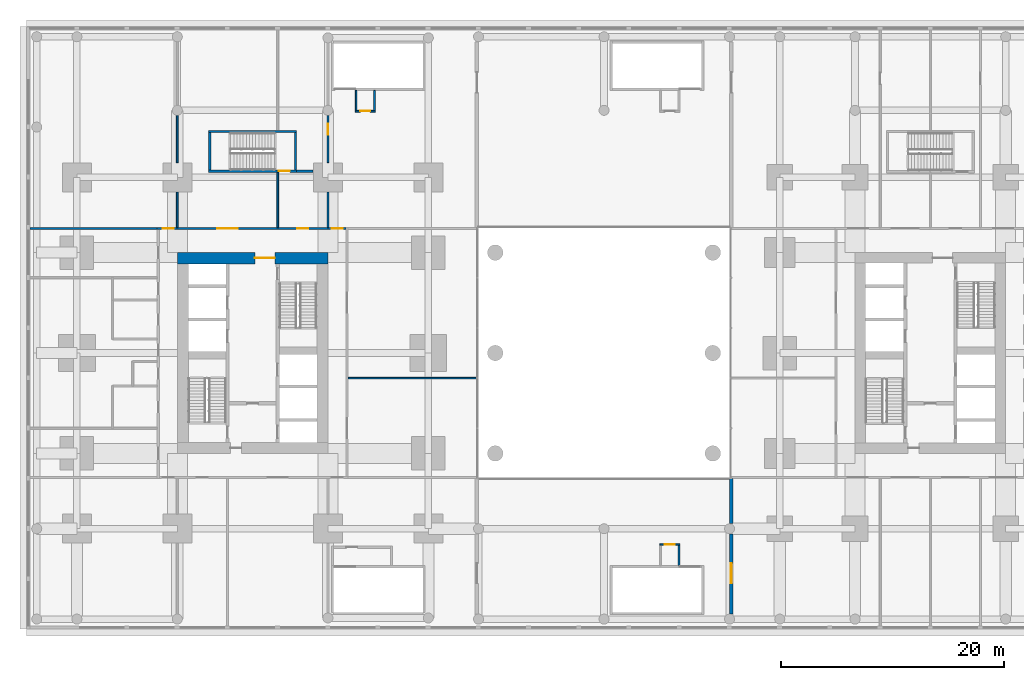
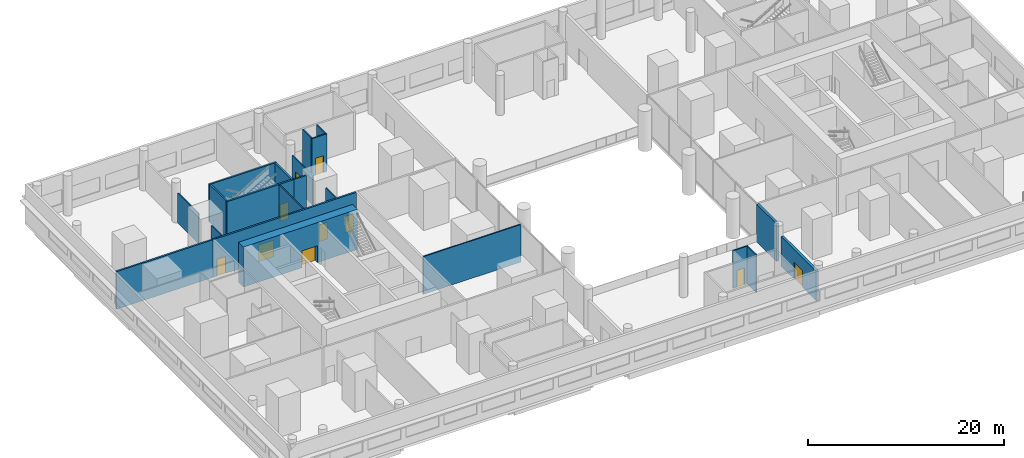
# One storey, part 12 of 20: 21 walls, 10 doors, 10 openings.
"""IFC4 building model written with IfcOpenShell, lengths in metres."""

from ifc_helpers import new_model, si_unit, direction, frame, frame_2d, origin, place, context, subcontext, project, spatial, rectangle, extrude, material, layer, layer_set, type_object, element, fill, save


model = new_model("IFC4")

# Units and contexts
model_context = context("Model", 3, precision=1e-05, world=origin(), true_north=direction((0.0, 1.0)))
body_context = subcontext(model_context, "Body", "Model", "MODEL_VIEW")
ifc_project = project(units=[si_unit("LENGTHUNIT", "METRE"), si_unit("AREAUNIT", "SQUARE_METRE"), si_unit("VOLUMEUNIT", "CUBIC_METRE"), si_unit("PLANEANGLEUNIT", "RADIAN"), si_unit("MASSUNIT", "GRAM", prefix="KILO")], contexts=[model_context])

# Site, building, storey
site_placement = place(None, origin())
site = spatial("IfcSite", under=ifc_project, at=site_placement, CompositionType="ELEMENT")
building_placement = place(site_placement, origin())
building = spatial("IfcBuilding", under=site, at=building_placement, Name="Namib Vertical Campus", CompositionType="ELEMENT")
storey_placement = place(building_placement, frame((0.0, 0.0, 16.0)))
storey = spatial("IfcBuildingStorey", under=building, at=storey_placement, Name="L03", CompositionType="ELEMENT", Elevation=16.0)

# Wall, opening, door
ifc_material_1 = material(Name="Concrete C60/75", Category="concrete")
ifc_layer_1 = layer(ifc_material_1, 1.0)
ifc_layer_set_1 = layer_set([ifc_layer_1], Name="Concrete C60/75")
wall_type_1 = type_object("IfcWallType", Name="Core wall 1000", PredefinedType="SHEAR", material=ifc_layer_set_1)
wall_1_placement = place(storey_placement, frame((27.0, 28.75, 0.0), z_axis=(0.0, 0.0, 1.0), x_axis=(-1.0, 0.0, 0.0)))
wall_1 = element("IfcWall", 1, at=wall_1_placement, inside=storey, type_object=wall_type_1, Name="Core wall A L03 3", PredefinedType="SHEAR", context=body_context, shape_type="SweptSolid", body=[
    extrude(rectangle(XDim=13.5, YDim=1.0, at=frame_2d((6.75, 0.0))), origin(), (0.0, 0.0, 1.0), 5.0),
])
opening_1_placement = place(wall_1_placement, frame((4.75, 0.0, 0.0)))
opening_1 = element("IfcOpeningElement", 2, at=opening_1_placement, cuts=wall_1, Name="Opening FD2", PredefinedType="OPENING", context=body_context, shape_type="SweptSolid", body=[
    extrude(rectangle(XDim=1.800048828125, YDim=2.10009765625, at=frame_2d((0.89990234375, 1.050048828125))), frame((0.0, 0.510009765625, 0.0), z_axis=(0.0, -1.0, 0.0), x_axis=(1.0, 0.0, 0.0)), (0.0, 0.0, 1.0), 1.02001953125),
])
ifc_material_2 = material(Name="Steel fire door", Category="steel")
door_type_1 = type_object("IfcDoorType", Name="Fire door double 1800x2100", OperationType="DOUBLE_DOOR_SINGLE_SWING", PredefinedType="DOOR", material=ifc_material_2)
door_1_placement = place(opening_1_placement, origin())
door_1 = element("IfcDoor", 3, at=door_1_placement, inside=storey, type_object=door_type_1, Name="Lift lobby door FD2 A L03", OperationType="DOUBLE_DOOR_SINGLE_SWING", OverallHeight=2.10009765625, OverallWidth=1.800048828125, PredefinedType="DOOR", context=body_context, shape_type="SweptSolid", body=[
    extrude(rectangle(XDim=1.800048828125, YDim=2.10009765625, at=frame_2d((0.89990234375, 1.050048828125))), frame((0.0, 0.02490234375, 0.0), z_axis=(0.0, -1.0, 0.0), x_axis=(1.0, 0.0, 0.0)), (0.0, 0.0, 1.0), 0.050048828125),
])
fill(opening_1, door_1)

# Wall, openings, doors
ifc_material_3 = material(Name="Concrete masonry", Category="masonry")
ifc_layer_2 = layer(ifc_material_3, 0.199951171875)
ifc_layer_set_2 = layer_set([ifc_layer_2], Name="Corridor wall 200")
wall_type_2 = type_object("IfcWallType", Name="Corridor wall 200", PredefinedType="SOLIDWALL", material=ifc_layer_set_2)
wall_2_placement = place(storey_placement, frame((28.60009765625, 31.39990234375, 0.0), z_axis=(0.0, 0.0, 1.0), x_axis=(-1.0, 0.0, 0.0)))
wall_2 = element("IfcWall", 4, at=wall_2_placement, inside=storey, type_object=wall_type_2, Name="Corridor wall A L03 CN", PredefinedType="SOLIDWALL", context=body_context, shape_type="SweptSolid", body=[
    extrude(rectangle(XDim=16.900146484375, YDim=0.199951171875, at=frame_2d((8.4501953125, 0.0))), origin(), (0.0, 0.0, 1.0), 4.699951171875),
])
opening_2_placement = place(wall_2_placement, frame((15.425048828125, 0.0, 0.0)))
opening_2 = element("IfcOpeningElement", 5, at=opening_2_placement, cuts=wall_2, Name="Opening CD1", PredefinedType="OPENING", context=body_context, shape_type="SweptSolid", body=[
    extrude(rectangle(XDim=1.0, YDim=2.10009765625, at=frame_2d((0.5, 1.050048828125))), frame((0.0, 0.10986328125, 0.0), z_axis=(0.0, -1.0, 0.0), x_axis=(1.0, 0.0, 0.0)), (0.0, 0.0, 1.0), 0.219970703125),
])
opening_3_placement = place(wall_2_placement, frame((9.699951171875, 0.0, 0.0)))
opening_3 = element("IfcOpeningElement", 6, at=opening_3_placement, cuts=wall_2, Name="Opening CD2", PredefinedType="OPENING", context=body_context, shape_type="SweptSolid", body=[
    extrude(rectangle(XDim=1.800048828125, YDim=2.10009765625, at=frame_2d((0.89990234375, 1.050048828125))), frame((0.0, 0.10986328125, 0.0), z_axis=(0.0, -1.0, 0.0), x_axis=(1.0, 0.0, 0.0)), (0.0, 0.0, 1.0), 0.219970703125),
])
opening_4_placement = place(wall_2_placement, frame((0.27490234375, 0.0, 0.0)))
opening_4 = element("IfcOpeningElement", 7, at=opening_4_placement, cuts=wall_2, Name="Opening CD1", PredefinedType="OPENING", context=body_context, shape_type="SweptSolid", body=[
    extrude(rectangle(XDim=1.0, YDim=2.10009765625, at=frame_2d((0.5, 1.050048828125))), frame((0.0, 0.10986328125, 0.0), z_axis=(0.0, -1.0, 0.0), x_axis=(1.0, 0.0, 0.0)), (0.0, 0.0, 1.0), 0.219970703125),
])
opening_5_placement = place(wall_2_placement, frame((3.35009765625, 0.0, 0.0)))
opening_5 = element("IfcOpeningElement", 8, at=opening_5_placement, cuts=wall_2, Name="Opening CD1", PredefinedType="OPENING", context=body_context, shape_type="SweptSolid", body=[
    extrude(rectangle(XDim=1.0, YDim=2.10009765625, at=frame_2d((0.5, 1.050048828125))), frame((0.0, 0.10986328125, 0.0), z_axis=(0.0, -1.0, 0.0), x_axis=(1.0, 0.0, 0.0)), (0.0, 0.0, 1.0), 0.219970703125),
])
ifc_material_4 = material(Name="Timber fire door leaf", Category="wood")
door_type_2 = type_object("IfcDoorType", Name="Corridor door 1000x2100 20 min", OperationType="SINGLE_SWING_LEFT", PredefinedType="DOOR", material=ifc_material_4)
door_2_placement = place(opening_2_placement, frame((1.0, 0.0, 0.0), z_axis=(0.0, 0.0, 1.0), x_axis=(-1.0, 0.0, 0.0)))
door_2 = element("IfcDoor", 9, at=door_2_placement, inside=storey, type_object=door_type_2, Name="Door CD1 A03-07", OperationType="SINGLE_SWING_RIGHT", OverallHeight=2.10009765625, OverallWidth=1.0, PredefinedType="DOOR", context=body_context, shape_type="SweptSolid", body=[
    extrude(rectangle(XDim=1.0, YDim=2.10009765625, at=frame_2d((0.5, 1.050048828125))), frame((0.0, 0.02490234375, 0.0), z_axis=(0.0, -1.0, 0.0), x_axis=(1.0, 0.0, 0.0)), (0.0, 0.0, 1.0), 0.050048828125),
])
fill(opening_2, door_2)
door_3_placement = place(opening_4_placement, origin())
door_3 = element("IfcDoor", 10, at=door_3_placement, inside=storey, type_object=door_type_2, Name="Door CD1 A03-09", OperationType="SINGLE_SWING_RIGHT", OverallHeight=2.10009765625, OverallWidth=1.0, PredefinedType="DOOR", context=body_context, shape_type="SweptSolid", body=[
    extrude(rectangle(XDim=1.0, YDim=2.10009765625, at=frame_2d((0.5, 1.050048828125))), frame((0.0, 0.02490234375, 0.0), z_axis=(0.0, -1.0, 0.0), x_axis=(1.0, 0.0, 0.0)), (0.0, 0.0, 1.0), 0.050048828125),
])
fill(opening_4, door_3)
door_4_placement = place(opening_5_placement, frame((1.0, 0.0, 0.0), z_axis=(0.0, 0.0, 1.0), x_axis=(-1.0, 0.0, 0.0)))
door_4 = element("IfcDoor", 11, at=door_4_placement, inside=storey, type_object=door_type_2, Name="Door CD1 A03-18", OperationType="SINGLE_SWING_LEFT", OverallHeight=2.10009765625, OverallWidth=1.0, PredefinedType="DOOR", context=body_context, shape_type="SweptSolid", body=[
    extrude(rectangle(XDim=1.0, YDim=2.10009765625, at=frame_2d((0.5, 1.050048828125))), frame((0.0, 0.02490234375, 0.0), z_axis=(0.0, -1.0, 0.0), x_axis=(1.0, 0.0, 0.0)), (0.0, 0.0, 1.0), 0.050048828125),
])
fill(opening_5, door_4)
ifc_material_5 = material(Name="Timber fire door leaf", Category="wood")
door_type_3 = type_object("IfcDoorType", Name="Corridor door double 1800x2100 20 min", OperationType="DOUBLE_DOOR_SINGLE_SWING", PredefinedType="DOOR", material=ifc_material_5)
door_5_placement = place(opening_3_placement, frame((1.800048828125, 0.0, 0.0), z_axis=(0.0, 0.0, 1.0), x_axis=(-1.0, 0.0, 0.0)))
door_5 = element("IfcDoor", 12, at=door_5_placement, inside=storey, type_object=door_type_3, Name="Door CD2 A03-08", OperationType="DOUBLE_DOOR_SINGLE_SWING", OverallHeight=2.10009765625, OverallWidth=1.800048828125, PredefinedType="DOOR", context=body_context, shape_type="SweptSolid", body=[
    extrude(rectangle(XDim=1.800048828125, YDim=2.10009765625, at=frame_2d((0.89990234375, 1.050048828125))), frame((0.0, 0.02490234375, 0.0), z_axis=(0.0, -1.0, 0.0), x_axis=(1.0, 0.0, 0.0)), (0.0, 0.0, 1.0), 0.050048828125),
])
fill(opening_3, door_5)

# Walls
wall_3_placement = place(storey_placement, frame((0.300048828125, 31.39990234375, 0.0), z_axis=(0.0, 0.0, 1.0), x_axis=(1.0, 0.0, 0.0)))
element("IfcWall", 13, at=wall_3_placement, inside=storey, type_object=wall_type_2, Name="Partition A L03 BNW", PredefinedType="SOLIDWALL", context=body_context, shape_type="SweptSolid", body=[
    extrude(rectangle(XDim=11.39990234375, YDim=0.199951171875, at=frame_2d((5.699951171875, 0.0))), origin(), (0.0, 0.0, 1.0), 4.699951171875),
])
wall_4_placement = place(storey_placement, frame((24.199951171875, 36.550048828125, 0.0), z_axis=(0.0, 0.0, 1.0), x_axis=(1.0, 0.0, 0.0)))
element("IfcWall", 14, at=wall_4_placement, inside=storey, type_object=wall_type_2, Name="Lobby wall A-S3 L03", PredefinedType="SOLIDWALL", context=body_context, shape_type="SweptSolid", body=[
    extrude(rectangle(XDim=1.47998046875, YDim=0.199951171875, at=frame_2d((0.739990234375, 0.0))), origin(), (0.0, 0.0, 1.0), 4.699951171875),
])

# Wall, opening, door
ifc_material_6 = material(Name="Concrete masonry", Category="masonry")
ifc_layer_3 = layer(ifc_material_6, 0.300048828125)
ifc_layer_set_3 = layer_set([ifc_layer_3], Name="Fire wall 300")
wall_type_3 = type_object("IfcWallType", Name="Fire wall 300", PredefinedType="SOLIDWALL", material=ifc_layer_set_3)
wall_5_placement = place(storey_placement, frame((63.14990234375, -3.1298828125, 0.0), z_axis=(0.0, 0.0, 1.0), x_axis=(0.0, 1.0, 0.0)))
wall_5 = element("IfcWall", 15, at=wall_5_placement, inside=storey, type_object=wall_type_3, Name="Fire wall B L03", PredefinedType="SOLIDWALL", context=body_context, shape_type="SweptSolid", body=[
    extrude(rectangle(XDim=7.159912109375, YDim=0.300048828125, at=frame_2d((3.580078125, 0.0))), origin(), (0.0, 0.0, 1.0), 3.699951171875),
])
opening_6_placement = place(wall_5_placement, frame((2.72998046875, 0.0, 0.0)))
opening_6 = element("IfcOpeningElement", 16, at=opening_6_placement, cuts=wall_5, Name="Opening FD2", PredefinedType="OPENING", context=body_context, shape_type="SweptSolid", body=[
    extrude(rectangle(XDim=1.800048828125, YDim=2.10009765625, at=frame_2d((0.89990234375, 1.050048828125))), frame((0.0, 0.159912109375, 0.0), z_axis=(0.0, -1.0, 0.0), x_axis=(1.0, 0.0, 0.0)), (0.0, 0.0, 1.0), 0.320068359375),
])
door_6_placement = place(opening_6_placement, frame((1.800048828125, 0.0, 0.0), z_axis=(0.0, 0.0, 1.0), x_axis=(-1.0, 0.0, 0.0)))
door_6 = element("IfcDoor", 17, at=door_6_placement, inside=storey, type_object=door_type_1, Name="Door FD2 middle B L03 1", OperationType="DOUBLE_DOOR_SINGLE_SWING", OverallHeight=2.10009765625, OverallWidth=1.800048828125, PredefinedType="DOOR", context=body_context, shape_type="SweptSolid", body=[
    extrude(rectangle(XDim=1.800048828125, YDim=2.10009765625, at=frame_2d((0.89990234375, 1.050048828125))), frame((0.0, 0.02490234375, 0.0), z_axis=(0.0, -1.0, 0.0), x_axis=(1.0, 0.0, 0.0)), (0.0, 0.0, 1.0), 0.050048828125),
])
fill(opening_6, door_6)

# Walls
wall_6_placement = place(storey_placement, frame((63.14990234375, 4.969970703125, 0.0), z_axis=(0.0, 0.0, 1.0), x_axis=(0.0, 1.0, 0.0)))
element("IfcWall", 18, at=wall_6_placement, inside=storey, type_object=wall_type_3, Name="Fire wall B L03", PredefinedType="SOLIDWALL", context=body_context, shape_type="SweptSolid", body=[
    extrude(rectangle(XDim=4.030029296875, YDim=0.300048828125, at=frame_2d((2.01513671875, 0.0))), origin(), (0.0, 0.0, 1.0), 4.699951171875),
])
ifc_material_7 = material(Name="Gypsum board on steel studs", Category="steel")
ifc_layer_4 = layer(ifc_material_7, 0.14990234375)
ifc_layer_set_4 = layer_set([ifc_layer_4], Name="Gypsum board on steel studs")
wall_type_4 = type_object("IfcWallType", Name="Partition 150", PredefinedType="PARTITIONING", material=ifc_layer_set_4)
wall_7_placement = place(storey_placement, frame((13.5, 31.5, 0.0), z_axis=(0.0, 0.0, 1.0), x_axis=(0.0, 1.0, 0.0)))
element("IfcWall", 19, at=wall_7_placement, inside=storey, type_object=wall_type_4, Name="Partition A L03 PN1", PredefinedType="PARTITIONING", context=body_context, shape_type="SweptSolid", body=[
    extrude(rectangle(XDim=3.179931640625, YDim=0.14990234375, at=frame_2d((1.58984375, 0.0))), origin(), (0.0, 0.0, 1.0), 3.800048828125),
])
wall_8_placement = place(storey_placement, frame((13.5, 37.320068359375, 0.0), z_axis=(0.0, 0.0, 1.0), x_axis=(0.0, 1.0, 0.0)))
element("IfcWall", 20, at=wall_8_placement, inside=storey, type_object=wall_type_4, Name="Partition A L03 PN1", PredefinedType="PARTITIONING", context=body_context, shape_type="SweptSolid", body=[
    extrude(rectangle(XDim=4.2099609375, YDim=0.14990234375, at=frame_2d((2.10498046875, 0.0))), origin(), (0.0, 0.0, 1.0), 3.699951171875),
])
wall_9_placement = place(storey_placement, frame((22.5, 31.5, 0.0), z_axis=(0.0, 0.0, 1.0), x_axis=(0.0, 1.0, 0.0)))
element("IfcWall", 21, at=wall_9_placement, inside=storey, type_object=wall_type_4, Name="Partition A L03 PN3", PredefinedType="PARTITIONING", context=body_context, shape_type="SweptSolid", body=[
    extrude(rectangle(XDim=4.949951171875, YDim=0.14990234375, at=frame_2d((2.47509765625, 0.0))), origin(), (0.0, 0.0, 1.0), 4.699951171875),
])
wall_10_placement = place(storey_placement, frame((27.0, 31.5, 0.0), z_axis=(0.0, 0.0, 1.0), x_axis=(0.0, 1.0, 0.0)))
element("IfcWall", 22, at=wall_10_placement, inside=storey, type_object=wall_type_4, Name="Partition A L03 PN2", PredefinedType="PARTITIONING", context=body_context, shape_type="SweptSolid", body=[
    extrude(rectangle(XDim=3.179931640625, YDim=0.14990234375, at=frame_2d((1.58984375, 0.0))), origin(), (0.0, 0.0, 1.0), 3.800048828125),
])

# Wall, opening, door
wall_11_placement = place(storey_placement, frame((27.0, 37.320068359375, 0.0), z_axis=(0.0, 0.0, 1.0), x_axis=(0.0, 1.0, 0.0)))
wall_11 = element("IfcWall", 23, at=wall_11_placement, inside=storey, type_object=wall_type_4, Name="Partition A L03 PN2", PredefinedType="PARTITIONING", context=body_context, shape_type="SweptSolid", body=[
    extrude(rectangle(XDim=4.2099609375, YDim=0.14990234375, at=frame_2d((2.10498046875, 0.0))), origin(), (0.0, 0.0, 1.0), 3.699951171875),
])
opening_7_placement = place(wall_11_placement, frame((2.5, 0.0, 0.0)))
opening_7 = element("IfcOpeningElement", 24, at=opening_7_placement, cuts=wall_11, Name="Opening D1", PredefinedType="OPENING", context=body_context, shape_type="SweptSolid", body=[
    extrude(rectangle(XDim=1.0, YDim=2.10009765625, at=frame_2d((0.5, 1.050048828125))), frame((0.0, 0.0849609375, 0.0), z_axis=(0.0, -1.0, 0.0), x_axis=(1.0, 0.0, 0.0)), (0.0, 0.0, 1.0), 0.169921875),
])
ifc_material_8 = material(Name="Timber door leaf", Category="wood")
door_type_4 = type_object("IfcDoorType", Name="Door single 1000x2100", OperationType="SINGLE_SWING_LEFT", PredefinedType="DOOR", material=ifc_material_8)
door_7_placement = place(opening_7_placement, origin())
door_7 = element("IfcDoor", 25, at=door_7_placement, inside=storey, type_object=door_type_4, Name="Door D1 A03-19", OperationType="SINGLE_SWING_RIGHT", OverallHeight=2.10009765625, OverallWidth=1.0, PredefinedType="DOOR", context=body_context, shape_type="SweptSolid", body=[
    extrude(rectangle(XDim=1.0, YDim=2.10009765625, at=frame_2d((0.5, 1.050048828125))), frame((0.0, 0.02490234375, 0.0), z_axis=(0.0, -1.0, 0.0), x_axis=(1.0, 0.0, 0.0)), (0.0, 0.0, 1.0), 0.050048828125),
])
fill(opening_7, door_7)

# Walls
wall_12_placement = place(storey_placement, frame((28.800048828125, 18.0, 0.0), z_axis=(0.0, 0.0, 1.0), x_axis=(1.0, 0.0, 0.0)))
element("IfcWall", 26, at=wall_12_placement, inside=storey, type_object=wall_type_4, Name="Partition A L03 PE1", PredefinedType="PARTITIONING", context=body_context, shape_type="SweptSolid", body=[
    extrude(rectangle(XDim=11.52001953125, YDim=0.14990234375, at=frame_2d((5.760009765625, 0.0))), origin(), (0.0, 0.0, 1.0), 4.699951171875),
])
wall_13_placement = place(storey_placement, frame((31.175048828125, 42.0, 0.0), z_axis=(0.0, 0.0, 1.0), x_axis=(0.0, 1.0, 0.0)))
element("IfcWall", 27, at=wall_13_placement, inside=storey, type_object=wall_type_4, Name="Refuge cell partition P-S1 L03", PredefinedType="PARTITIONING", context=body_context, shape_type="SweptSolid", body=[
    extrude(rectangle(XDim=1.800048828125, YDim=0.14990234375, at=frame_2d((0.89990234375, 0.0))), origin(), (0.0, 0.0, 1.0), 4.699951171875),
])

# Wall, opening, door
wall_14_placement = place(storey_placement, frame((29.449951171875, 41.925048828125, 0.0), z_axis=(0.0, 0.0, 1.0), x_axis=(1.0, 0.0, 0.0)))
wall_14 = element("IfcWall", 28, at=wall_14_placement, inside=storey, type_object=wall_type_4, Name="Refuge cell partition P-S1 L03", PredefinedType="PARTITIONING", context=body_context, shape_type="SweptSolid", body=[
    extrude(rectangle(XDim=1.800048828125, YDim=0.14990234375, at=frame_2d((0.89990234375, 0.0))), origin(), (0.0, 0.0, 1.0), 4.699951171875),
])
opening_8_placement = place(wall_14_placement, frame((0.449951171875, 0.0, 0.0)))
opening_8 = element("IfcOpeningElement", 29, at=opening_8_placement, cuts=wall_14, Name="Opening RD2", PredefinedType="OPENING", context=body_context, shape_type="SweptSolid", body=[
    extrude(rectangle(XDim=0.89990234375, YDim=2.10009765625, at=frame_2d((0.449951171875, 1.050048828125))), frame((0.0, 0.0849609375, 0.0), z_axis=(0.0, -1.0, 0.0), x_axis=(1.0, 0.0, 0.0)), (0.0, 0.0, 1.0), 0.169921875),
])
ifc_material_9 = material(Name="Timber fire door leaf", Category="wood")
door_type_5 = type_object("IfcDoorType", Name="Refuge cell door 900x2100 30 min", OperationType="SINGLE_SWING_LEFT", PredefinedType="DOOR", material=ifc_material_9)
door_8_placement = place(opening_8_placement, origin())
door_8 = element("IfcDoor", 30, at=door_8_placement, inside=storey, type_object=door_type_5, Name="Door RD2 Refuge area P-S1 L03", OperationType="SINGLE_SWING_LEFT", OverallHeight=2.10009765625, OverallWidth=0.89990234375, PredefinedType="DOOR", context=body_context, shape_type="SweptSolid", body=[
    extrude(rectangle(XDim=0.89990234375, YDim=2.10009765625, at=frame_2d((0.449951171875, 1.050048828125))), frame((0.0, 0.02490234375, 0.0), z_axis=(0.0, -1.0, 0.0), x_axis=(1.0, 0.0, 0.0)), (0.0, 0.0, 1.0), 0.050048828125),
])
fill(opening_8, door_8)

# Walls
for number, where, z_axis, x_axis, name in (
    (31, (29.52490234375, 42.0, 0.0), (0.0, 0.0, 1.0), (0.0, 1.0, 0.0), "Refuge cell partition P-S1 L03"),
    (32, (58.47509765625, 1.199951171875, 0.0), (0.0, 0.0, 1.0), (0.0, 1.0, 0.0), "Refuge cell partition P-S4 L03"),
):
    element("IfcWall", number, at=place(storey_placement, frame(where, z_axis=z_axis, x_axis=x_axis)), inside=storey, type_object=wall_type_4, Name=name, PredefinedType="PARTITIONING", context=body_context, shape_type="SweptSolid", body=[
        extrude(rectangle(XDim=1.800048828125, YDim=0.14990234375, at=frame_2d((0.89990234375, 0.0))), origin(), (0.0, 0.0, 1.0), 4.699951171875),
    ])

# Wall, opening, door
wall_15_placement = place(storey_placement, frame((56.75, 3.074951171875, 0.0), z_axis=(0.0, 0.0, 1.0), x_axis=(1.0, 0.0, 0.0)))
wall_15 = element("IfcWall", 33, at=wall_15_placement, inside=storey, type_object=wall_type_4, Name="Refuge cell partition P-S4 L03", PredefinedType="PARTITIONING", context=body_context, shape_type="SweptSolid", body=[
    extrude(rectangle(XDim=1.800048828125, YDim=0.14990234375, at=frame_2d((0.89990234375, 0.0))), origin(), (0.0, 0.0, 1.0), 4.699951171875),
])
opening_9_placement = place(wall_15_placement, frame((0.449951171875, 0.0, 0.0)))
opening_9 = element("IfcOpeningElement", 34, at=opening_9_placement, cuts=wall_15, Name="Opening RD2", PredefinedType="OPENING", context=body_context, shape_type="SweptSolid", body=[
    extrude(rectangle(XDim=0.89990234375, YDim=2.10009765625, at=frame_2d((0.449951171875, 1.050048828125))), frame((0.0, 0.0849609375, 0.0), z_axis=(0.0, -1.0, 0.0), x_axis=(1.0, 0.0, 0.0)), (0.0, 0.0, 1.0), 0.169921875),
])
door_9_placement = place(opening_9_placement, frame((0.89990234375, 0.0, 0.0), z_axis=(0.0, 0.0, 1.0), x_axis=(-1.0, 0.0, 0.0)))
door_9 = element("IfcDoor", 35, at=door_9_placement, inside=storey, type_object=door_type_5, Name="Door RD2 Refuge area P-S4 L03", OperationType="SINGLE_SWING_RIGHT", OverallHeight=2.10009765625, OverallWidth=0.89990234375, PredefinedType="DOOR", context=body_context, shape_type="SweptSolid", body=[
    extrude(rectangle(XDim=0.89990234375, YDim=2.10009765625, at=frame_2d((0.449951171875, 1.050048828125))), frame((0.0, 0.02490234375, 0.0), z_axis=(0.0, -1.0, 0.0), x_axis=(1.0, 0.0, 0.0)), (0.0, 0.0, 1.0), 0.050048828125),
])
fill(opening_9, door_9)

ifc_material_10 = material(Name="Concrete C40/50", Category="concrete")
ifc_layer_5 = layer(ifc_material_10, 0.199951171875)
ifc_layer_set_5 = layer_set([ifc_layer_5], Name="Concrete C40/50")
wall_type_5 = type_object("IfcWallType", Name="Stair enclosure wall RC 200", PredefinedType="SOLIDWALL", material=ifc_layer_set_5)
wall_16_placement = place(storey_placement, frame((16.300048828125, 36.550048828125, 0.0), z_axis=(0.0, 0.0, 1.0), x_axis=(1.0, 0.0, 0.0)))
wall_16 = element("IfcWall", 36, at=wall_16_placement, inside=storey, type_object=wall_type_5, Name="Stair enclosure wall A-S3 L03 S", PredefinedType="SOLIDWALL", context=body_context, shape_type="SweptSolid", body=[
    extrude(rectangle(XDim=7.89990234375, YDim=0.199951171875, at=frame_2d((3.949951171875, 0.0))), origin(), (0.0, 0.0, 1.0), 4.699951171875),
])
opening_10_placement = place(wall_16_placement, frame((6.300048828125, 0.0, 0.0)))
opening_10 = element("IfcOpeningElement", 37, at=opening_10_placement, cuts=wall_16, Name="Opening FD1", PredefinedType="OPENING", context=body_context, shape_type="SweptSolid", body=[
    extrude(rectangle(XDim=1.0, YDim=2.10009765625, at=frame_2d((0.5, 1.050048828125))), frame((0.0, 0.10986328125, 0.0), z_axis=(0.0, -1.0, 0.0), x_axis=(1.0, 0.0, 0.0)), (0.0, 0.0, 1.0), 0.219970703125),
])
ifc_material_11 = material(Name="Steel fire door", Category="steel")
door_type_6 = type_object("IfcDoorType", Name="Fire door 1000x2100", OperationType="SINGLE_SWING_RIGHT", PredefinedType="DOOR", material=ifc_material_11)
door_10_placement = place(opening_10_placement, origin())
door_10 = element("IfcDoor", 38, at=door_10_placement, inside=storey, type_object=door_type_6, Name="Stair door FD1 A L03 S3", OperationType="SINGLE_SWING_RIGHT", OverallHeight=2.10009765625, OverallWidth=1.0, PredefinedType="DOOR", context=body_context, shape_type="SweptSolid", body=[
    extrude(rectangle(XDim=1.0, YDim=2.10009765625, at=frame_2d((0.5, 1.050048828125))), frame((0.0, 0.02490234375, 0.0), z_axis=(0.0, -1.0, 0.0), x_axis=(1.0, 0.0, 0.0)), (0.0, 0.0, 1.0), 0.050048828125),
])
fill(opening_10, door_10)

# Walls
wall_17_placement = place(storey_placement, frame((16.300048828125, 40.10009765625, 0.0), z_axis=(0.0, 0.0, 1.0), x_axis=(1.0, 0.0, 0.0)))
element("IfcWall", 39, at=wall_17_placement, inside=storey, type_object=wall_type_5, Name="Stair enclosure wall A-S3 L03 N", PredefinedType="SOLIDWALL", context=body_context, shape_type="SweptSolid", body=[
    extrude(rectangle(XDim=7.89990234375, YDim=0.199951171875, at=frame_2d((3.949951171875, 0.0))), origin(), (0.0, 0.0, 1.0), 4.699951171875),
])
for number, where, z_axis, x_axis, name in (
    (40, (16.39990234375, 36.64990234375, 0.0), (0.0, 0.0, 1.0), (0.0, 1.0, 0.0), "Stair enclosure wall A-S3 L03 W"),
    (41, (24.10009765625, 36.64990234375, 0.0), (0.0, 0.0, 1.0), (0.0, 1.0, 0.0), "Stair enclosure wall A-S3 L03 E"),
):
    element("IfcWall", number, at=place(storey_placement, frame(where, z_axis=z_axis, x_axis=x_axis)), inside=storey, type_object=wall_type_5, Name=name, PredefinedType="SOLIDWALL", context=body_context, shape_type="SweptSolid", body=[
        extrude(rectangle(XDim=3.35009765625, YDim=0.199951171875, at=frame_2d((1.675048828125, 0.0))), origin(), (0.0, 0.0, 1.0), 4.699951171875),
    ])

save(model, "model.ifc")
